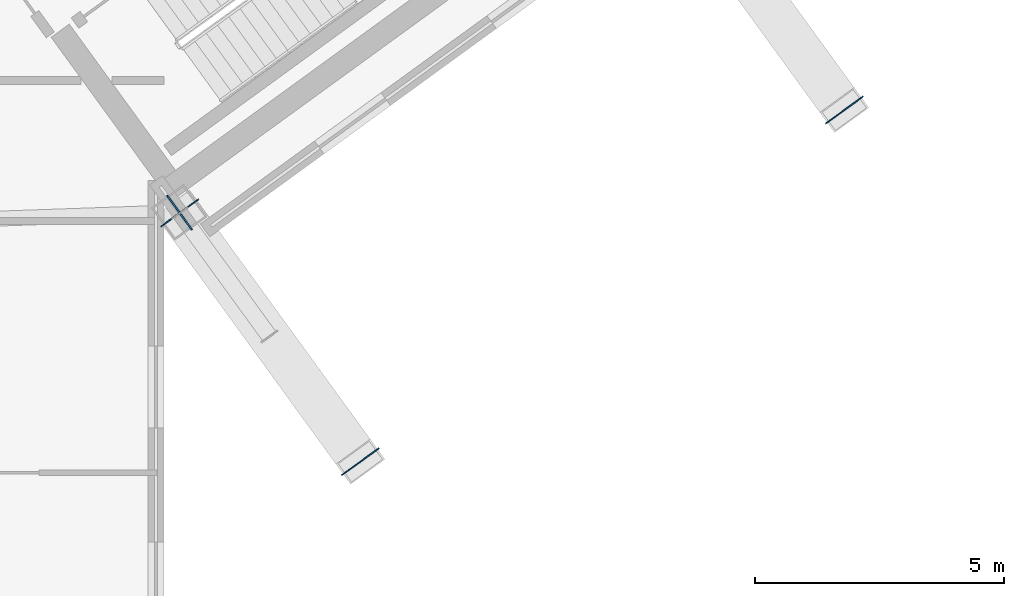
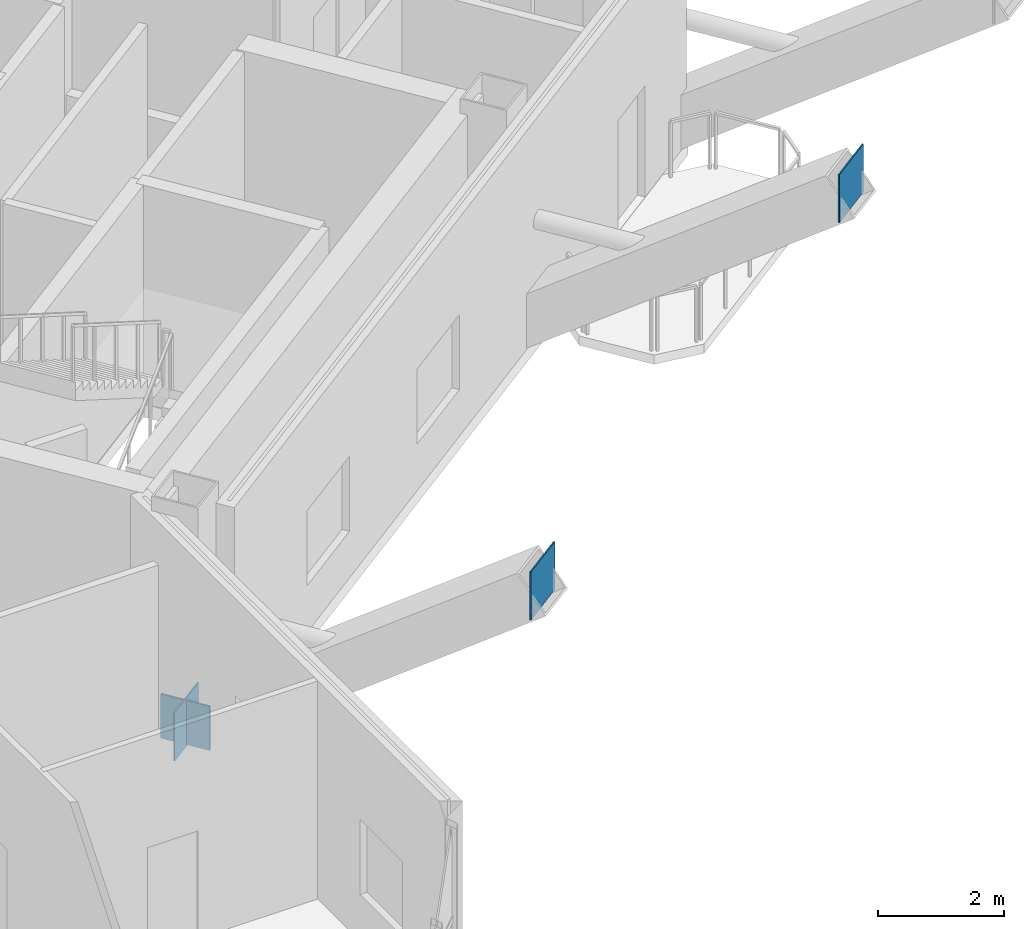
# One storey, part 14 of 34: 4 plates.
"""IFC4 building model written with IfcOpenShell, lengths in metres."""

import ifcopenshell
import ifcopenshell.guid

model = None  # the IFC model being written
_history = None  # IfcOwnerHistory: only IFC2X3 demands one
_inside = {}  # id of a spatial element -> (the spatial element, [elements in it])
_under = {}  # id of a project, library or spatial element -> (it, [spatial elements below it])
_declared = {}  # id of a project -> (the project, [libraries it declares])
_typed = {}  # id of a type object -> (the type object, [elements of that type])
_made_of = {}  # id of a material, layer set ... -> (it, [elements and type objects made of it])


def new_model(schema):
    """Start an empty IFC model of exactly this schema.

    Asked for "IFC4X3", IfcOpenShell would pick the latest addendum, in which some entities
    have other attributes; the version numbers below select the first issue.
    IFC2X3 requires an IfcOwnerHistory on every rooted entity: one is made here for all.
    """
    global model, _history
    if schema == "IFC4X3":
        model = ifcopenshell.file(schema_version=(4, 3, 0, 0))
    else:
        model = ifcopenshell.file(schema=schema)
    _inside.clear()
    _under.clear()
    _declared.clear()
    _typed.clear()
    _made_of.clear()
    _history = None
    if model.schema == "IFC2X3":
        org = make("IfcOrganization", Name="unknown")
        user = make(
            "IfcPersonAndOrganization",
            ThePerson=make("IfcPerson", FamilyName="unknown"),
            TheOrganization=org,
        )
        app = make(
            "IfcApplication",
            ApplicationDeveloper=org,
            Version="unknown",
            ApplicationFullName="unknown",
            ApplicationIdentifier="unknown",
        )
        _history = make(
            "IfcOwnerHistory",
            OwningUser=user,
            OwningApplication=app,
            ChangeAction="ADDED",
            CreationDate=0,
        )
    return model


def make(cls, **values):
    """One entity of the class cls with the attributes given. An attribute that is None is left unset."""
    return model.create_entity(
        cls, **{name: value for name, value in values.items() if value is not None}
    )


def rooted(cls, **values):
    """An entity with a GlobalId (a new one), such as an element, a storey or a relation."""
    return make(cls, GlobalId=ifcopenshell.guid.new(), OwnerHistory=_history, **values)


def si_unit(unit_type, name, prefix=None):
    """IfcSIUnit, for example si_unit("LENGTHUNIT", "METRE", prefix="MILLI")."""
    return make("IfcSIUnit", UnitType=unit_type, Prefix=prefix, Name=name)


def assignment(units):
    """IfcUnitAssignment: the units of a project."""
    return None if units is None else make("IfcUnitAssignment", Units=units)


def point(xyz):
    """IfcCartesianPoint."""
    return None if xyz is None else make("IfcCartesianPoint", Coordinates=xyz)


def direction(xyz):
    """IfcDirection."""
    return None if xyz is None else make("IfcDirection", DirectionRatios=xyz)


def frame(location, z_axis=None, x_axis=None):
    """IfcAxis2Placement3D, a coordinate frame: its origin and axes. An axis left out is left unset."""
    return make(
        "IfcAxis2Placement3D",
        Location=point(location),
        Axis=direction(z_axis),
        RefDirection=direction(x_axis),
    )


def frame_2d(location, x_axis=None):
    """IfcAxis2Placement2D, a coordinate frame in the plane: its origin and x axis."""
    return make(
        "IfcAxis2Placement2D", Location=point(location), RefDirection=direction(x_axis)
    )


def origin():
    """The frame at (0, 0, 0) with its axes left unset."""
    return frame((0.0, 0.0, 0.0))


def origin_2d():
    """The frame at (0, 0) in the plane with its x axis left unset."""
    return frame_2d((0.0, 0.0))


def place(relative_to, where):
    """IfcLocalPlacement: puts the frame where relative to a parent placement (None: the world)."""
    return make(
        "IfcLocalPlacement", PlacementRelTo=relative_to, RelativePlacement=where
    )


def context(
    kind, dimensions, precision=None, world=None, true_north=None, identifier=None
):
    """IfcGeometricRepresentationContext, for example the 3D "Model" context."""
    return make(
        "IfcGeometricRepresentationContext",
        ContextIdentifier=identifier,
        ContextType=kind,
        CoordinateSpaceDimension=dimensions,
        Precision=precision,
        WorldCoordinateSystem=world,
        TrueNorth=true_north,
    )


def subcontext(parent, identifier, kind, view, scale=None):
    """IfcGeometricRepresentationSubContext, for example "Body" below "Model"."""
    return make(
        "IfcGeometricRepresentationSubContext",
        ContextIdentifier=identifier,
        ContextType=kind,
        ParentContext=parent,
        TargetScale=scale,
        TargetView=view,
    )


def project(units=None, contexts=None):
    """IfcProject with its units and contexts."""
    return rooted(
        "IfcProject",
        Name="project",
        RepresentationContexts=contexts,
        UnitsInContext=assignment(units),
    )


def spatial(cls, under=None, at=None, **own):
    """A site, building, storey or space (cls), placed at a placement, below another one or the project."""
    s = rooted(cls, ObjectPlacement=at, **own)
    if under is not None:
        _under.setdefault(under.id(), (under, []))[1].append(s)
    return s


def profile(cls, at=None, kind="AREA", **sizes):
    """A parametric profile (cls). Its sizes go by their IFC names, for example OverallWidth=200.0."""
    return make(cls, ProfileType=kind, Position=at, **sizes)


def rectangle(**sizes):
    """IfcRectangleProfileDef."""
    return profile("IfcRectangleProfileDef", **sizes)


def extrude(swept, where, along, depth):
    """IfcExtrudedAreaSolid: the profile swept, set in the frame where, extruded along a direction by depth."""
    return make(
        "IfcExtrudedAreaSolid",
        SweptArea=swept,
        Position=where,
        ExtrudedDirection=direction(along),
        Depth=depth,
    )


def shape(context_of_items, identifier, shape_type, items):
    """IfcShapeRepresentation: the items that make up one representation, for example the "Body"."""
    return make(
        "IfcShapeRepresentation",
        ContextOfItems=context_of_items,
        RepresentationIdentifier=identifier,
        RepresentationType=shape_type,
        Items=items,
    )


def source(mapping_origin, context_of_items, identifier, shape_type, items):
    """IfcRepresentationMap: a shape defined once, which mapped items show again and again."""
    return make(
        "IfcRepresentationMap",
        MappingOrigin=mapping_origin,
        MappedRepresentation=shape(context_of_items, identifier, shape_type, items),
    )


def transform(
    local_origin,
    x_axis=None,
    y_axis=None,
    z_axis=None,
    scale=None,
    scale2=None,
    scale3=None,
    uniform=True,
):
    """IfcCartesianTransformationOperator3D, or its non-uniform kind. x_axis, y_axis, z_axis: its Axis1, 2, 3."""
    if uniform:
        return make(
            "IfcCartesianTransformationOperator3D",
            Axis1=direction(x_axis),
            Axis2=direction(y_axis),
            LocalOrigin=point(local_origin),
            Scale=scale,
            Axis3=direction(z_axis),
        )
    return make(
        "IfcCartesianTransformationOperator3DnonUniform",
        Axis1=direction(x_axis),
        Axis2=direction(y_axis),
        LocalOrigin=point(local_origin),
        Scale=scale,
        Axis3=direction(z_axis),
        Scale2=scale2,
        Scale3=scale3,
    )


def mapped(mapping_source, mapping_target):
    """IfcMappedItem: shows the shape of a source again, moved by a transform."""
    return make(
        "IfcMappedItem", MappingSource=mapping_source, MappingTarget=mapping_target
    )


def material(Name=None, Category=None):
    """IfcMaterial."""
    return make("IfcMaterial", Name=Name, Category=Category)


def layer(
    of_material, thickness, ventilated=None, Name=None, Category=None, Priority=None
):
    """IfcMaterialLayer: one layer of a wall or slab, of a material (None: an air gap)."""
    return make(
        "IfcMaterialLayer",
        Material=of_material,
        LayerThickness=thickness,
        IsVentilated=ventilated,
        Name=Name,
        Category=Category,
        Priority=Priority,
    )


def layer_set(layers, Name=None):
    """IfcMaterialLayerSet."""
    return make("IfcMaterialLayerSet", MaterialLayers=layers, LayerSetName=Name)


def made_of(thing, what):
    """Note that an element or type object is made of a material, layer set ...; save() writes the relation."""
    if what is not None:
        _made_of.setdefault(what.id(), (what, []))[1].append(thing)
    return thing


def type_object(cls, material=None, **own):
    """A type object (cls), such as IfcWallType, which elements share."""
    return made_of(rooted(cls, **own), material)


def element(
    cls,
    number,
    at=None,
    inside=None,
    cuts=None,
    type_object=None,
    material=None,
    context=None,
    identifier="Body",
    shape_type=None,
    held_by="IfcProductDefinitionShape",
    body=None,
    shapes=None,
    **own,
):
    """One element of the class cls, such as IfcWall. Its Tag is "e" and its number.

    at: its placement. inside: the storey or other place that contains it. cuts: it is an
    opening in that element (IfcRelVoidsElement). A single representation is given by context,
    identifier, shape_type and body (its items); several are given by shapes. held_by: the class
    of the entity that holds the representations. save() writes the other relations.
    """
    e = rooted(cls, Tag="e%d" % number, ObjectPlacement=at, **own)
    if body is not None:
        shapes = [shape(context, identifier, shape_type, body)]
    if shapes is not None:
        e.Representation = make(held_by, Representations=shapes)
    if inside is not None:
        _inside.setdefault(inside.id(), (inside, []))[1].append(e)
    if cuts is not None:
        rooted(
            "IfcRelVoidsElement", RelatingBuildingElement=cuts, RelatedOpeningElement=e
        )
    if type_object is not None:
        _typed.setdefault(type_object.id(), (type_object, []))[1].append(e)
    return made_of(e, material)


def aggregate(whole, parts):
    """IfcRelAggregates: a whole, such as a stair, and the parts it consists of."""
    return rooted("IfcRelAggregates", RelatingObject=whole, RelatedObjects=parts)


def save(model, path):
    """Write the relations noted so far, then the file.

    IfcRelAggregates (storeys below a building ...), IfcRelContainedInSpatialStructure (elements
    in a storey), IfcRelDefinesByType, IfcRelAssociatesMaterial and IfcRelDeclares: one each for
    every whole, place, type object, material and project.
    """
    for whole, parts in _under.values():
        aggregate(whole, parts)
    for where, things in _inside.values():
        rooted(
            "IfcRelContainedInSpatialStructure",
            RelatedElements=things,
            RelatingStructure=where,
        )
    for kind, things in _typed.values():
        rooted("IfcRelDefinesByType", RelatedObjects=things, RelatingType=kind)
    for what, things in _made_of.values():
        rooted("IfcRelAssociatesMaterial", RelatedObjects=things, RelatingMaterial=what)
    for by, libraries in _declared.values():
        rooted("IfcRelDeclares", RelatingContext=by, RelatedDefinitions=libraries)
    model.write(path)


model = new_model("IFC4")

# Units and contexts
model_context = context("Model", 3, precision=1e-05, world=origin(), true_north=direction((0.0, 1.0)))
body_context = subcontext(model_context, "Body", "Model", "MODEL_VIEW")
ifc_project = project(units=[si_unit("LENGTHUNIT", "METRE"), si_unit("AREAUNIT", "SQUARE_METRE"), si_unit("VOLUMEUNIT", "CUBIC_METRE"), si_unit("PLANEANGLEUNIT", "RADIAN"), si_unit("MASSUNIT", "GRAM", prefix="KILO")], contexts=[model_context])

# Site, building, storey
site_placement = place(None, origin())
site = spatial("IfcSite", under=ifc_project, at=site_placement, CompositionType="ELEMENT")
building_placement = place(site_placement, origin())
building = spatial("IfcBuilding", under=site, at=building_placement, Name="Tlacorven Tower", CompositionType="ELEMENT")
storey_placement = place(building_placement, frame((0.0, 0.0, 229.199951171875)))
storey = spatial("IfcBuildingStorey", under=building, at=storey_placement, Name="L58", CompositionType="ELEMENT", Elevation=229.199951171875)

# Plates
ifc_material = material(Name="Steel S460M", Category="steel")
ifc_layer_1 = layer(ifc_material, 0.02392578125)
ifc_layer_set_1 = layer_set([ifc_layer_1], Name="Steel S460M")
plate_type_1 = type_object("IfcPlateType", Name="PL-CAP-END1", PredefinedType="USERDEFINED", material=ifc_layer_set_1)
shared_shape_1 = source(origin(), body_context, "Body", "SweptSolid", [
    extrude(rectangle(XDim=0.02392578125, YDim=0.929931640625, at=origin_2d()), origin(), (0.0, 0.0, 1.0), 0.929931640625),
])
for number, where, z_axis, x_axis, name in (
    (1, (52.71484375, 12.76025390625, -0.453125), (0.0, 0.0, 1.0), (0.587785265382, -0.809016984865, 0.0), "L58 hollow end cap plate RAK-L58-E1 1"),
    (2, (56.340087890625, 7.7705078125, 4.0234375), (0.0, 0.0, 1.0), (0.587785265382, -0.809016984865, 0.0), "L58 hollow end cap plate RAK-L58-E1 2"),
    (3, (66.04833984375, 14.823974609375, 4.0234375), (0.0, 0.0, 1.0), (0.587785265382, -0.809016984865, 0.0), "L58 hollow end cap plate RAK-L58-E3 2"),
):
    element("IfcPlate", number, at=place(storey_placement, frame(where, z_axis=z_axis, x_axis=x_axis)), inside=storey, type_object=plate_type_1, Name=name, ObjectType="END PLATE", PredefinedType="USERDEFINED", context=body_context, shape_type="MappedRepresentation", body=[
        mapped(shared_shape_1, transform((0.0, 0.0, 0.0), scale=1.0)),
    ])
ifc_layer_2 = layer(ifc_material, 0.031982421875)
ifc_layer_set_2 = layer_set([ifc_layer_2], Name="Steel S460M")
plate_type_2 = type_object("IfcPlateType", Name="PL-NODE-KN1", PredefinedType="SHEET", material=ifc_layer_set_2)
shared_shape_2 = source(origin(), body_context, "Body", "SweptSolid", [
    extrude(rectangle(XDim=0.85009765625, YDim=0.031982421875, at=origin_2d()), origin(), (0.0, 0.0, 1.0), 0.85009765625),
])
plate_placement = place(storey_placement, frame((52.710205078125, 12.766845703125, -0.419189453125), z_axis=(0.0, 0.0, 1.0), x_axis=(0.587785265382, -0.809016984865, 0.0)))
element("IfcPlate", 4, at=plate_placement, inside=storey, type_object=plate_type_2, Name="L58 structural node gusset plate RAK-L58-E1", PredefinedType="SHEET", context=body_context, shape_type="MappedRepresentation", body=[
    mapped(shared_shape_2, transform((0.0, 0.0, 0.0), scale=1.0)),
])

save(model, "model.ifc")
